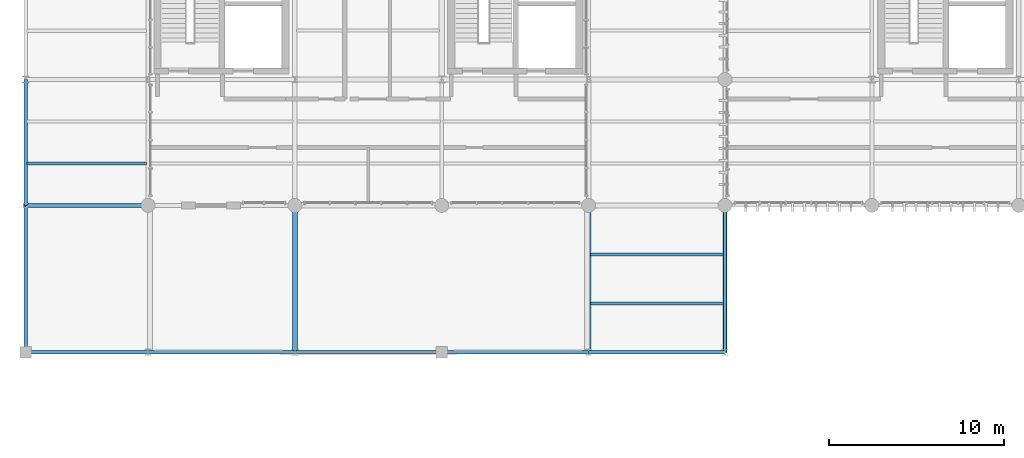
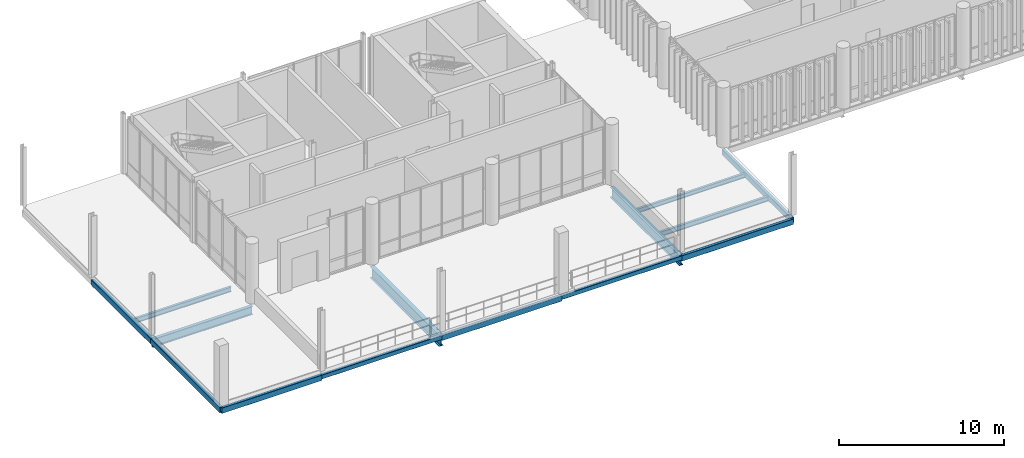
# One storey, part 7 of 68: 14 beams.
"""IFC4 building model written with IfcOpenShell, lengths in metres."""

from ifc_helpers import new_model, si_unit, direction, frame, origin_with_axes, origin_2d_with_axis, place, context, subcontext, project, spatial, hollow_rectangle, i_section, extrude, material, material_profile, profile_set, type_object, element, save


model = new_model("IFC4")

# Units and contexts
model_context = context("Model", 3, precision=1e-05, world=origin_with_axes(), true_north=direction((0.0, 1.0)))
body_context = subcontext(model_context, "Body", "Model", "MODEL_VIEW")
ifc_project = project(units=[si_unit("LENGTHUNIT", "METRE"), si_unit("AREAUNIT", "SQUARE_METRE"), si_unit("VOLUMEUNIT", "CUBIC_METRE"), si_unit("PLANEANGLEUNIT", "RADIAN"), si_unit("MASSUNIT", "GRAM", prefix="KILO"), si_unit("THERMODYNAMICTEMPERATUREUNIT", "KELVIN")], contexts=[model_context])

# Site, building, storey
site_placement = place(None, origin_with_axes())
site = spatial("IfcSite", under=ifc_project, at=site_placement, CompositionType="ELEMENT")
building_placement = place(site_placement, origin_with_axes())
building = spatial("IfcBuilding", under=site, at=building_placement, Name="Montbau Bow Law Courts", CompositionType="ELEMENT")
storey_placement = place(building_placement, frame((0.0, 0.0, 20.4), z_axis=(0.0, 0.0, 1.0), x_axis=(1.0, 0.0, 0.0)))
storey = spatial("IfcBuildingStorey", under=building, at=storey_placement, Name="L04", CompositionType="ELEMENT", Elevation=20.4)

# Beams
ifc_material_1 = material(Name="Steel CSA G40.21 Grade 350W (350 MPa)", Category="steel")
ifc_material_profile_1 = material_profile(ifc_material_1, i_section(OverallWidth=0.293, OverallDepth=0.846, WebThickness=0.0154, FlangeThickness=0.0244, at=origin_2d_with_axis()), Name="W840X210", Category="Main", Priority=0)
ifc_profile_set_1 = profile_set([ifc_material_profile_1], Name="Steel CSA G40.21 Grade 350W (350 MPa)")
beam_type_1 = type_object("IfcBeamType", Name="B-FLR-02", PredefinedType="BEAM", material=ifc_profile_set_1)
beam_1_placement = place(None, frame((22.2, 30.6, 19.657), z_axis=(0.0, 1.0, 0.0), x_axis=(-1.0, 0.0, 0.0)))
element("IfcBeam", 1, at=beam_1_placement, inside=storey, type_object=beam_type_1, Name="BM-L04-S0642:bm2_0645", PredefinedType="BEAM", context=body_context, shape_type="SweptSolid", body=[
    extrude(i_section(OverallWidth=0.293, OverallDepth=0.846, WebThickness=0.0154, FlangeThickness=0.0244, at=origin_2d_with_axis()), origin_with_axes(), (0.0, 0.0, 1.0), 8.4),
])
ifc_material_profile_2 = material_profile(ifc_material_1, i_section(OverallWidth=0.267, OverallDepth=0.766, WebThickness=0.0149, FlangeThickness=0.0236, at=origin_2d_with_axis()), Name="W760X185", Category="Main", Priority=0)
ifc_profile_set_2 = profile_set([ifc_material_profile_2], Name="Steel CSA G40.21 Grade 350W (350 MPa)")
beam_type_2 = type_object("IfcBeamType", Name="B-FLR-03", PredefinedType="BEAM", material=ifc_profile_set_2)
beam_2_placement = place(None, frame((39.0, 30.6, 19.697), z_axis=(0.0, 1.0, 0.0), x_axis=(-1.0, 0.0, 0.0)))
element("IfcBeam", 2, at=beam_2_placement, inside=storey, type_object=beam_type_2, Name="BM-L04-S0647:bm2_0650", PredefinedType="BEAM", context=body_context, shape_type="SweptSolid", body=[
    extrude(i_section(OverallWidth=0.267, OverallDepth=0.766, WebThickness=0.0149, FlangeThickness=0.0236, at=origin_2d_with_axis()), origin_with_axes(), (0.0, 0.0, 1.0), 8.4),
])
ifc_material_profile_3 = material_profile(ifc_material_1, i_section(OverallWidth=0.229, OverallDepth=0.612, WebThickness=0.0119, FlangeThickness=0.0196, at=origin_2d_with_axis()), Name="W610X125", Category="Main", Priority=0)
ifc_profile_set_3 = profile_set([ifc_material_profile_3], Name="Steel CSA G40.21 Grade 350W (350 MPa)")
beam_type_3 = type_object("IfcBeamType", Name="B-FLR-05", PredefinedType="BEAM", material=ifc_profile_set_3)
beam_3_placement = place(None, frame((6.8, 39.0, 19.774), z_axis=(1.0, 0.0, 0.0), x_axis=(0.0, 1.0, 0.0)))
element("IfcBeam", 3, at=beam_3_placement, inside=storey, type_object=beam_type_3, Name="BM-L04-S0622:bm2_0625", PredefinedType="BEAM", context=body_context, shape_type="SweptSolid", body=[
    extrude(i_section(OverallWidth=0.229, OverallDepth=0.612, WebThickness=0.0119, FlangeThickness=0.0196, at=origin_2d_with_axis()), origin_with_axes(), (0.0, 0.0, 1.0), 7.0),
])
ifc_material_profile_4 = material_profile(ifc_material_1, i_section(OverallWidth=0.172, OverallDepth=0.358, WebThickness=0.0079, FlangeThickness=0.0131, at=origin_2d_with_axis()), Name="W360X57", Category="Main", Priority=0)
ifc_profile_set_4 = profile_set([ifc_material_profile_4], Name="Steel CSA G40.21 Grade 350W (350 MPa)")
beam_type_4 = type_object("IfcBeamType", Name="B-JST-03", PredefinedType="JOIST", material=ifc_profile_set_4)
beam_4_placement = place(None, frame((6.88, 41.4, 19.901), z_axis=(1.0, 0.0, 0.0), x_axis=(0.0, 1.0, 0.0)))
element("IfcBeam", 4, at=beam_4_placement, inside=storey, type_object=beam_type_4, Name="JST-L04-S0302:jst2_0302", PredefinedType="JOIST", context=body_context, shape_type="SweptSolid", body=[
    extrude(i_section(OverallWidth=0.172, OverallDepth=0.358, WebThickness=0.0079, FlangeThickness=0.0131, at=origin_2d_with_axis()), origin_with_axes(), (0.0, 0.0, 1.0), 6.83),
])
beam_5_placement = place(None, frame((39.109, 33.4, 19.901), z_axis=(1.0, 0.0, 0.0), x_axis=(0.0, 1.0, 0.0)))
element("IfcBeam", 5, at=beam_5_placement, inside=storey, type_object=beam_type_4, Name="JST-L04-S0314:jst2_0314", PredefinedType="JOIST", context=body_context, shape_type="SweptSolid", body=[
    extrude(i_section(OverallWidth=0.172, OverallDepth=0.358, WebThickness=0.0079, FlangeThickness=0.0131, at=origin_2d_with_axis()), origin_with_axes(), (0.0, 0.0, 1.0), 7.611),
])
ifc_material_profile_5 = material_profile(ifc_material_1, i_section(OverallWidth=0.166, OverallDepth=0.313, WebThickness=0.0066, FlangeThickness=0.0112, at=origin_2d_with_axis()), Name="W310X45", Category="Main", Priority=0)
ifc_profile_set_5 = profile_set([ifc_material_profile_5], Name="Steel CSA G40.21 Grade 350W (350 MPa)")
beam_type_5 = type_object("IfcBeamType", Name="B-JST-04", PredefinedType="JOIST", material=ifc_profile_set_5)
beam_6_placement = place(None, frame((39.109, 36.2, 19.923), z_axis=(1.0, 0.0, 0.0), x_axis=(0.0, 1.0, 0.0)))
element("IfcBeam", 6, at=beam_6_placement, inside=storey, type_object=beam_type_5, Name="JST-L04-S0315:jst2_0315", PredefinedType="JOIST", context=body_context, shape_type="SweptSolid", body=[
    extrude(i_section(OverallWidth=0.166, OverallDepth=0.313, WebThickness=0.0066, FlangeThickness=0.0112, at=origin_2d_with_axis()), origin_with_axes(), (0.0, 0.0, 1.0), 7.611),
])
ifc_material_2 = material(Name="Steel CSA G40.21 Grade 350WT (350 MPa)", Category="steel")
ifc_material_profile_6 = material_profile(ifc_material_2, hollow_rectangle(XDim=0.203, YDim=0.406, WallThickness=0.0127, InnerFilletRadius=0.0254, OuterFilletRadius=0.0127, at=origin_2d_with_axis()), Name="HSS406X203X13", Category="Main", Priority=0)
ifc_profile_set_6 = profile_set([ifc_material_profile_6], Name="Steel CSA G40.21 Grade 350WT (350 MPa)")
beam_type_6 = type_object("IfcBeamType", Name="B-SPN-01", PredefinedType="SPANDREL", material=ifc_profile_set_6)
beam_7_placement = place(None, frame((6.8, 30.6, 19.877), z_axis=(1.0, 0.0, 0.0), x_axis=(0.0, 1.0, 0.0)))
element("IfcBeam", 7, at=beam_7_placement, inside=storey, type_object=beam_type_6, Name="SPN-L04-S0617:bm2_0620", PredefinedType="SPANDREL", context=body_context, shape_type="SweptSolid", body=[
    extrude(hollow_rectangle(XDim=0.203, YDim=0.406, WallThickness=0.0127, InnerFilletRadius=0.0254, OuterFilletRadius=0.0127, at=origin_2d_with_axis()), origin_with_axes(), (0.0, 0.0, 1.0), 7.0),
])
beam_8_placement = place(None, frame((22.2, 30.6, 19.877), z_axis=(1.0, 0.0, 0.0), x_axis=(0.0, 1.0, 0.0)))
element("IfcBeam", 8, at=beam_8_placement, inside=storey, type_object=beam_type_6, Name="SPN-L04-S0619:bm2_0622", PredefinedType="SPANDREL", context=body_context, shape_type="SweptSolid", body=[
    extrude(hollow_rectangle(XDim=0.203, YDim=0.406, WallThickness=0.0127, InnerFilletRadius=0.0254, OuterFilletRadius=0.0127, at=origin_2d_with_axis()), origin_with_axes(), (0.0, 0.0, 1.0), 8.4),
])
beam_9_placement = place(None, frame((39.0, 30.6, 19.877), z_axis=(1.0, 0.0, 0.0), x_axis=(0.0, 1.0, 0.0)))
element("IfcBeam", 9, at=beam_9_placement, inside=storey, type_object=beam_type_6, Name="SPN-L04-S0621:bm2_0624", PredefinedType="SPANDREL", context=body_context, shape_type="SweptSolid", body=[
    extrude(hollow_rectangle(XDim=0.203, YDim=0.406, WallThickness=0.0127, InnerFilletRadius=0.0254, OuterFilletRadius=0.0127, at=origin_2d_with_axis()), origin_with_axes(), (0.0, 0.0, 1.0), 7.8),
])
beam_10_placement = place(None, frame((6.8, 30.6, 19.907), z_axis=(0.0, 1.0, 0.0), x_axis=(-1.0, 0.0, 0.0)))
element("IfcBeam", 10, at=beam_10_placement, inside=storey, type_object=beam_type_6, Name="SPN-L04-S0637:bm2_0640", PredefinedType="SPANDREL", context=body_context, shape_type="SweptSolid", body=[
    extrude(hollow_rectangle(XDim=0.203, YDim=0.406, WallThickness=0.0127, InnerFilletRadius=0.0254, OuterFilletRadius=0.0127, at=origin_2d_with_axis()), origin_with_axes(), (0.0, 0.0, 1.0), 8.4),
])
beam_11_placement = place(None, frame((6.8, 39.0, 19.907), z_axis=(0.0, 1.0, 0.0), x_axis=(-1.0, 0.0, 0.0)))
element("IfcBeam", 11, at=beam_11_placement, inside=storey, type_object=beam_type_6, Name="SPN-L04-S0638:bm2_0641", PredefinedType="SPANDREL", context=body_context, shape_type="SweptSolid", body=[
    extrude(hollow_rectangle(XDim=0.203, YDim=0.406, WallThickness=0.0127, InnerFilletRadius=0.0254, OuterFilletRadius=0.0127, at=origin_2d_with_axis()), origin_with_axes(), (0.0, 0.0, 1.0), 7.2),
])
beam_12_placement = place(None, frame((46.8, 30.6, 19.917), z_axis=(0.0, 1.0, 0.0), x_axis=(-1.0, 0.0, 0.0)))
element("IfcBeam", 12, at=beam_12_placement, inside=storey, type_object=beam_type_6, Name="SPN-L04-S0650:bm2_0653", PredefinedType="SPANDREL", context=body_context, shape_type="SweptSolid", body=[
    extrude(hollow_rectangle(XDim=0.203, YDim=0.406, WallThickness=0.0127, InnerFilletRadius=0.0254, OuterFilletRadius=0.0127, at=origin_2d_with_axis()), origin_with_axes(), (0.0, 0.0, 1.0), 8.4),
])
ifc_material_profile_7 = material_profile(ifc_material_2, hollow_rectangle(XDim=0.203, YDim=0.305, WallThickness=0.0127, InnerFilletRadius=0.0254, OuterFilletRadius=0.0127, at=origin_2d_with_axis()), Name="HSS305X203X13", Category="Main", Priority=0)
ifc_profile_set_7 = profile_set([ifc_material_profile_7], Name="Steel CSA G40.21 Grade 350WT (350 MPa)")
beam_type_7 = type_object("IfcBeamType", Name="B-SPN-02", PredefinedType="SPANDREL", material=ifc_profile_set_7)
for number, where, z_axis, x_axis, name in (
    (13, (13.8, 30.6, 19.927), (1.0, 0.0, 0.0), (0.0, 1.0, 0.0), "SPN-L04-S0618:bm2_0621"),
    (14, (30.6, 30.6, 19.927), (1.0, 0.0, 0.0), (0.0, 1.0, 0.0), "SPN-L04-S0620:bm2_0623"),
):
    element("IfcBeam", number, at=place(None, frame(where, z_axis=z_axis, x_axis=x_axis)), inside=storey, type_object=beam_type_7, Name=name, PredefinedType="SPANDREL", context=body_context, shape_type="SweptSolid", body=[
        extrude(hollow_rectangle(XDim=0.203, YDim=0.305, WallThickness=0.0127, InnerFilletRadius=0.0254, OuterFilletRadius=0.0127, at=origin_2d_with_axis()), origin_with_axes(), (0.0, 0.0, 1.0), 8.4),
    ])

save(model, "model.ifc")
